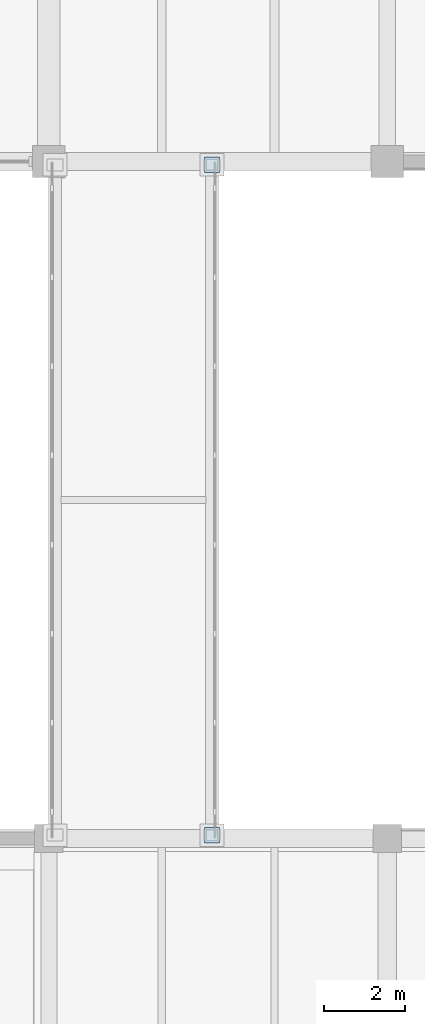
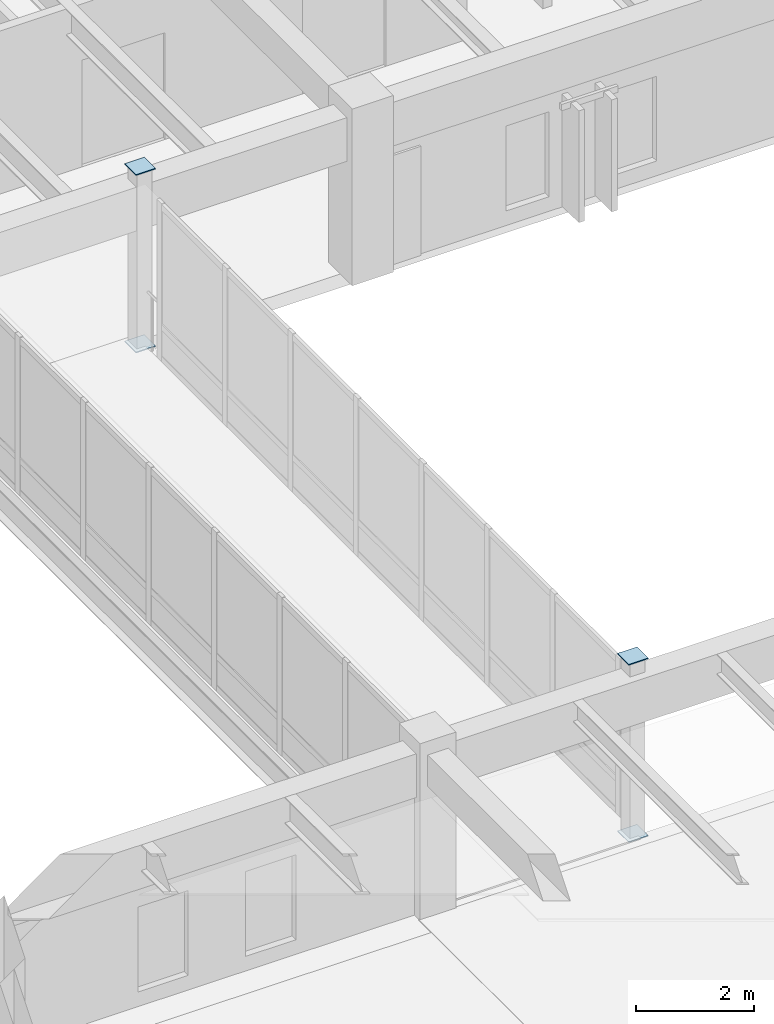
# One storey, part 64 of 118: 4 plates.
"""IFC4 building model written with IfcOpenShell, lengths in metres."""

from ifc_helpers import new_model, si_unit, direction, frame, origin, origin_2d, place, context, subcontext, project, spatial, rectangle, extrude, material, layer, layer_set, type_object, element, save


model = new_model("IFC4")

# Units and contexts
model_context = context("Model", 3, precision=1e-05, world=origin(), true_north=direction((0.0, 1.0)))
body_context = subcontext(model_context, "Body", "Model", "MODEL_VIEW")
ifc_project = project(units=[si_unit("LENGTHUNIT", "METRE"), si_unit("AREAUNIT", "SQUARE_METRE"), si_unit("VOLUMEUNIT", "CUBIC_METRE"), si_unit("PLANEANGLEUNIT", "RADIAN"), si_unit("MASSUNIT", "GRAM", prefix="KILO")], contexts=[model_context])

# Site, building, storey
site_placement = place(None, origin())
site = spatial("IfcSite", under=ifc_project, at=site_placement, CompositionType="ELEMENT")
building_placement = place(site_placement, origin())
building = spatial("IfcBuilding", under=site, at=building_placement, Name="Cumbredor Promenade Congress Hotel", CompositionType="ELEMENT")
storey_placement = place(building_placement, frame((0.0, 0.0, 3.919921875)))
storey = spatial("IfcBuildingStorey", under=building, at=storey_placement, Name="L01", CompositionType="ELEMENT", Elevation=3.919921875)

# Plates
ifc_material = material(Name="Steel ASTM A572 Grade 50", Category="steel")
ifc_layer = layer(ifc_material, 0.02001953125, Name="Steel ASTM A572 Grade 50", Category="steel")
ifc_layer_set = layer_set([ifc_layer], Name="Steel ASTM A572 Grade 50")
plate_type = type_object("IfcPlateType", Name="Hollow Section End Cap Plate CP-04", PredefinedType="USERDEFINED", material=ifc_layer_set)
for number, where, z_axis, x_axis, name in (
    (1, (155.25, 67.280029296875, -0.017822265625), (0.0, 0.0, 1.0), (1.0, 0.0, 0.0), "L01 East Ballroom-to-Forum Glazed Bridge Support Column 2 Start Cap Plate"),
    (2, (155.25, 67.280029296875, 3.63818359375), (0.0, 0.0, 1.0), (1.0, 0.0, 0.0), "L01 East Ballroom-to-Forum Glazed Bridge Support Column 2 End Cap Plate"),
    (3, (155.25, 83.919921875, -0.017822265625), (0.0, 0.0, 1.0), (1.0, 0.0, 0.0), "L01 East Ballroom-to-Forum Glazed Bridge Support Column 4 Start Cap Plate"),
    (4, (155.25, 83.919921875, 3.63818359375), (0.0, 0.0, 1.0), (1.0, 0.0, 0.0), "L01 East Ballroom-to-Forum Glazed Bridge Support Column 4 End Cap Plate"),
):
    element("IfcPlate", number, at=place(storey_placement, frame(where, z_axis=z_axis, x_axis=x_axis)), inside=storey, type_object=plate_type, Name=name, ObjectType="CAP PLATE", PredefinedType="USERDEFINED", context=body_context, shape_type="SweptSolid", body=[
        extrude(rectangle(XDim=0.3798828125, YDim=0.3798828125, at=origin_2d()), origin(), (0.0, 0.0, 1.0), 0.02001953125),
    ])

save(model, "model.ifc")
